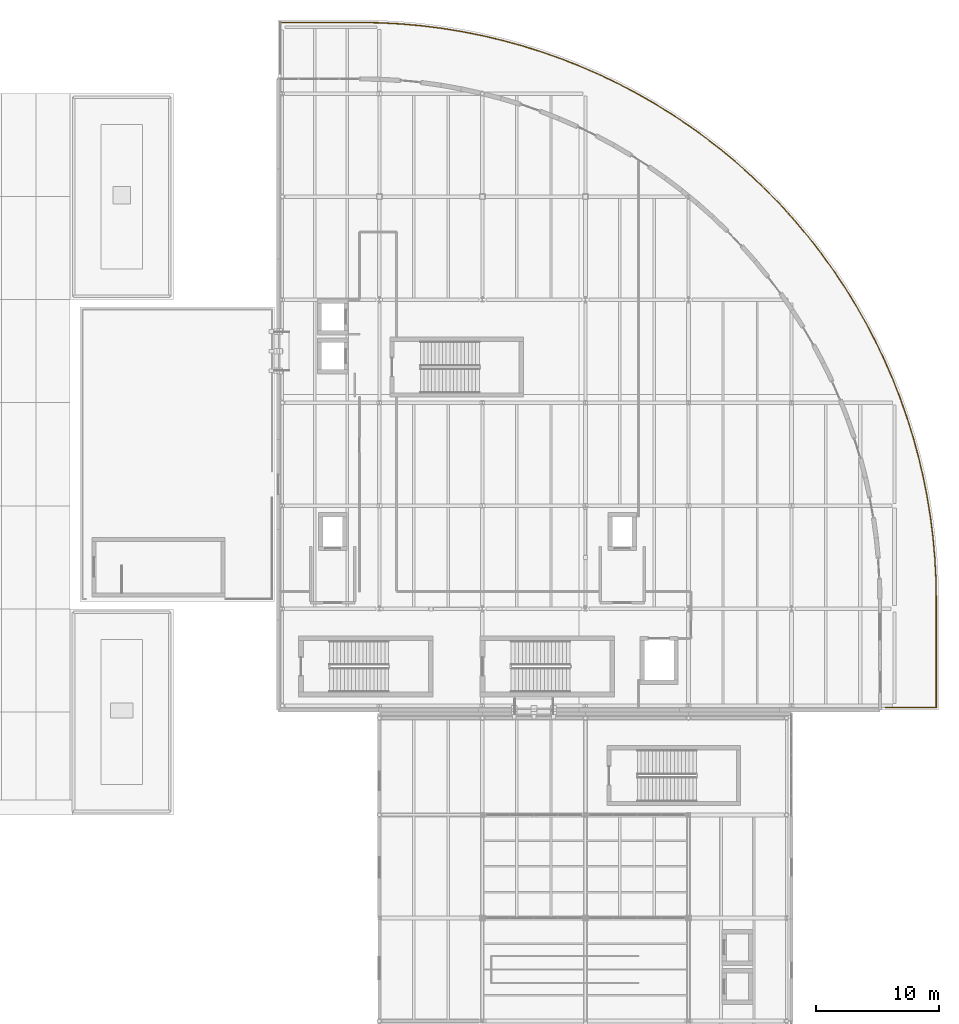
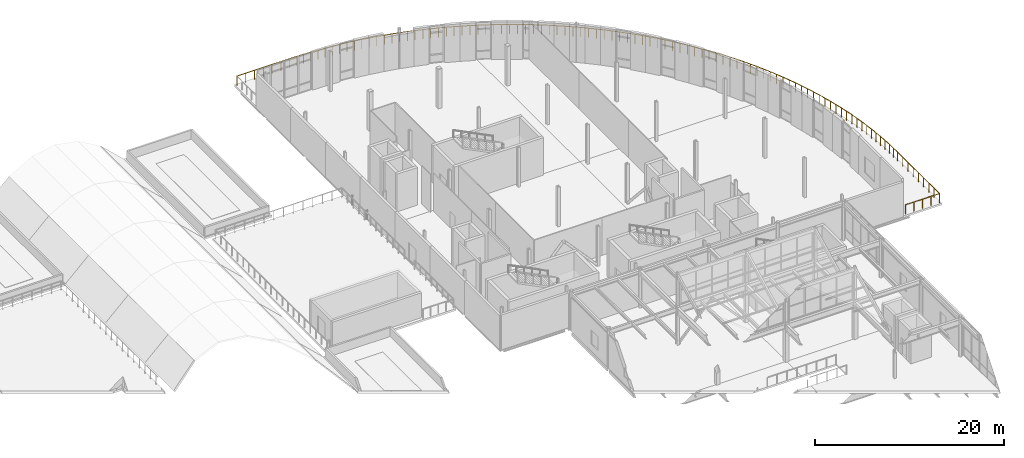
# One storey, part 86 of 91: 1 railing.
"""IFC4 building model written with IfcOpenShell, lengths in metres."""

import ifcopenshell
import ifcopenshell.guid

model = None  # the IFC model being written
_history = None  # IfcOwnerHistory: only IFC2X3 demands one
_inside = {}  # id of a spatial element -> (the spatial element, [elements in it])
_under = {}  # id of a project, library or spatial element -> (it, [spatial elements below it])
_declared = {}  # id of a project -> (the project, [libraries it declares])
_typed = {}  # id of a type object -> (the type object, [elements of that type])
_made_of = {}  # id of a material, layer set ... -> (it, [elements and type objects made of it])


def new_model(schema):
    """Start an empty IFC model of exactly this schema.

    Asked for "IFC4X3", IfcOpenShell would pick the latest addendum, in which some entities
    have other attributes; the version numbers below select the first issue.
    IFC2X3 requires an IfcOwnerHistory on every rooted entity: one is made here for all.
    """
    global model, _history
    if schema == "IFC4X3":
        model = ifcopenshell.file(schema_version=(4, 3, 0, 0))
    else:
        model = ifcopenshell.file(schema=schema)
    _inside.clear()
    _under.clear()
    _declared.clear()
    _typed.clear()
    _made_of.clear()
    _history = None
    if model.schema == "IFC2X3":
        org = make("IfcOrganization", Name="unknown")
        user = make(
            "IfcPersonAndOrganization",
            ThePerson=make("IfcPerson", FamilyName="unknown"),
            TheOrganization=org,
        )
        app = make(
            "IfcApplication",
            ApplicationDeveloper=org,
            Version="unknown",
            ApplicationFullName="unknown",
            ApplicationIdentifier="unknown",
        )
        _history = make(
            "IfcOwnerHistory",
            OwningUser=user,
            OwningApplication=app,
            ChangeAction="ADDED",
            CreationDate=0,
        )
    return model


def make(cls, **values):
    """One entity of the class cls with the attributes given. An attribute that is None is left unset."""
    return model.create_entity(
        cls, **{name: value for name, value in values.items() if value is not None}
    )


def rooted(cls, **values):
    """An entity with a GlobalId (a new one), such as an element, a storey or a relation."""
    return make(cls, GlobalId=ifcopenshell.guid.new(), OwnerHistory=_history, **values)


def si_unit(unit_type, name, prefix=None):
    """IfcSIUnit, for example si_unit("LENGTHUNIT", "METRE", prefix="MILLI")."""
    return make("IfcSIUnit", UnitType=unit_type, Prefix=prefix, Name=name)


def assignment(units):
    """IfcUnitAssignment: the units of a project."""
    return None if units is None else make("IfcUnitAssignment", Units=units)


def point(xyz):
    """IfcCartesianPoint."""
    return None if xyz is None else make("IfcCartesianPoint", Coordinates=xyz)


def direction(xyz):
    """IfcDirection."""
    return None if xyz is None else make("IfcDirection", DirectionRatios=xyz)


def frame(location, z_axis=None, x_axis=None):
    """IfcAxis2Placement3D, a coordinate frame: its origin and axes. An axis left out is left unset."""
    return make(
        "IfcAxis2Placement3D",
        Location=point(location),
        Axis=direction(z_axis),
        RefDirection=direction(x_axis),
    )


def frame_2d(location, x_axis=None):
    """IfcAxis2Placement2D, a coordinate frame in the plane: its origin and x axis."""
    return make(
        "IfcAxis2Placement2D", Location=point(location), RefDirection=direction(x_axis)
    )


def origin():
    """The frame at (0, 0, 0) with its axes left unset."""
    return frame((0.0, 0.0, 0.0))


def origin_2d():
    """The frame at (0, 0) in the plane with its x axis left unset."""
    return frame_2d((0.0, 0.0))


def place(relative_to, where):
    """IfcLocalPlacement: puts the frame where relative to a parent placement (None: the world)."""
    return make(
        "IfcLocalPlacement", PlacementRelTo=relative_to, RelativePlacement=where
    )


def context(
    kind, dimensions, precision=None, world=None, true_north=None, identifier=None
):
    """IfcGeometricRepresentationContext, for example the 3D "Model" context."""
    return make(
        "IfcGeometricRepresentationContext",
        ContextIdentifier=identifier,
        ContextType=kind,
        CoordinateSpaceDimension=dimensions,
        Precision=precision,
        WorldCoordinateSystem=world,
        TrueNorth=true_north,
    )


def subcontext(parent, identifier, kind, view, scale=None):
    """IfcGeometricRepresentationSubContext, for example "Body" below "Model"."""
    return make(
        "IfcGeometricRepresentationSubContext",
        ContextIdentifier=identifier,
        ContextType=kind,
        ParentContext=parent,
        TargetScale=scale,
        TargetView=view,
    )


def project(units=None, contexts=None):
    """IfcProject with its units and contexts."""
    return rooted(
        "IfcProject",
        Name="project",
        RepresentationContexts=contexts,
        UnitsInContext=assignment(units),
    )


def spatial(cls, under=None, at=None, **own):
    """A site, building, storey or space (cls), placed at a placement, below another one or the project."""
    s = rooted(cls, ObjectPlacement=at, **own)
    if under is not None:
        _under.setdefault(under.id(), (under, []))[1].append(s)
    return s


def profile(cls, at=None, kind="AREA", **sizes):
    """A parametric profile (cls). Its sizes go by their IFC names, for example OverallWidth=200.0."""
    return make(cls, ProfileType=kind, Position=at, **sizes)


def circle(**sizes):
    """IfcCircleProfileDef."""
    return profile("IfcCircleProfileDef", **sizes)


def extrude(swept, where, along, depth):
    """IfcExtrudedAreaSolid: the profile swept, set in the frame where, extruded along a direction by depth."""
    return make(
        "IfcExtrudedAreaSolid",
        SweptArea=swept,
        Position=where,
        ExtrudedDirection=direction(along),
        Depth=depth,
    )


def shape(context_of_items, identifier, shape_type, items):
    """IfcShapeRepresentation: the items that make up one representation, for example the "Body"."""
    return make(
        "IfcShapeRepresentation",
        ContextOfItems=context_of_items,
        RepresentationIdentifier=identifier,
        RepresentationType=shape_type,
        Items=items,
    )


def material(Name=None, Category=None):
    """IfcMaterial."""
    return make("IfcMaterial", Name=Name, Category=Category)


def made_of(thing, what):
    """Note that an element or type object is made of a material, layer set ...; save() writes the relation."""
    if what is not None:
        _made_of.setdefault(what.id(), (what, []))[1].append(thing)
    return thing


def type_object(cls, material=None, **own):
    """A type object (cls), such as IfcWallType, which elements share."""
    return made_of(rooted(cls, **own), material)


def element(
    cls,
    number,
    at=None,
    inside=None,
    cuts=None,
    type_object=None,
    material=None,
    context=None,
    identifier="Body",
    shape_type=None,
    held_by="IfcProductDefinitionShape",
    body=None,
    shapes=None,
    **own,
):
    """One element of the class cls, such as IfcWall. Its Tag is "e" and its number.

    at: its placement. inside: the storey or other place that contains it. cuts: it is an
    opening in that element (IfcRelVoidsElement). A single representation is given by context,
    identifier, shape_type and body (its items); several are given by shapes. held_by: the class
    of the entity that holds the representations. save() writes the other relations.
    """
    e = rooted(cls, Tag="e%d" % number, ObjectPlacement=at, **own)
    if body is not None:
        shapes = [shape(context, identifier, shape_type, body)]
    if shapes is not None:
        e.Representation = make(held_by, Representations=shapes)
    if inside is not None:
        _inside.setdefault(inside.id(), (inside, []))[1].append(e)
    if cuts is not None:
        rooted(
            "IfcRelVoidsElement", RelatingBuildingElement=cuts, RelatedOpeningElement=e
        )
    if type_object is not None:
        _typed.setdefault(type_object.id(), (type_object, []))[1].append(e)
    return made_of(e, material)


def aggregate(whole, parts):
    """IfcRelAggregates: a whole, such as a stair, and the parts it consists of."""
    return rooted("IfcRelAggregates", RelatingObject=whole, RelatedObjects=parts)


def save(model, path):
    """Write the relations noted so far, then the file.

    IfcRelAggregates (storeys below a building ...), IfcRelContainedInSpatialStructure (elements
    in a storey), IfcRelDefinesByType, IfcRelAssociatesMaterial and IfcRelDeclares: one each for
    every whole, place, type object, material and project.
    """
    for whole, parts in _under.values():
        aggregate(whole, parts)
    for where, things in _inside.values():
        rooted(
            "IfcRelContainedInSpatialStructure",
            RelatedElements=things,
            RelatingStructure=where,
        )
    for kind, things in _typed.values():
        rooted("IfcRelDefinesByType", RelatedObjects=things, RelatingType=kind)
    for what, things in _made_of.values():
        rooted("IfcRelAssociatesMaterial", RelatedObjects=things, RelatingMaterial=what)
    for by, libraries in _declared.values():
        rooted("IfcRelDeclares", RelatingContext=by, RelatedDefinitions=libraries)
    model.write(path)


model = new_model("IFC4")

# Units and contexts
model_context = context("Model", 3, precision=1e-05, world=origin(), true_north=direction((0.0, 1.0)))
body_context = subcontext(model_context, "Body", "Model", "MODEL_VIEW")
ifc_project = project(units=[si_unit("LENGTHUNIT", "METRE"), si_unit("AREAUNIT", "SQUARE_METRE"), si_unit("VOLUMEUNIT", "CUBIC_METRE"), si_unit("PLANEANGLEUNIT", "RADIAN"), si_unit("MASSUNIT", "GRAM", prefix="KILO"), si_unit("THERMODYNAMICTEMPERATUREUNIT", "KELVIN")], contexts=[model_context])

# Site, building, storey
site_placement = place(None, origin())
site = spatial("IfcSite", under=ifc_project, at=site_placement, CompositionType="ELEMENT")
building_placement = place(site_placement, origin())
building = spatial("IfcBuilding", under=site, at=building_placement, Name="Lustrewick Department Store", CompositionType="ELEMENT")
storey_placement = place(building_placement, frame((0.0, 0.0, 21.60009765625)))
storey = spatial("IfcBuildingStorey", under=building, at=storey_placement, Name="L05", CompositionType="ELEMENT", Elevation=21.60009765625)

# Railing
ifc_material = material(Name="Laminated glass and anodized aluminium guardrail", Category="aluminium")
railing_type = type_object("IfcRailingType", Name="RL-EXT", PredefinedType="GUARDRAIL", material=ifc_material)
railing_placement = place(storey_placement, frame((109.550048828125, 106.60009765625, 0.0)))
element("IfcRailing", 1, at=railing_placement, inside=storey, type_object=railing_type, Name="L05 Terrace Perimeter Guardrail 0014", PredefinedType="GUARDRAIL", context=body_context, shape_type="SweptSolid", body=[
    extrude(circle(Radius=0.02392578125, at=origin_2d()), frame((0.0, 0.0, 1.17578125), z_axis=(1.0, 0.0, 0.0), x_axis=(0.0, 1.0, 0.0)), (0.0, 0.0, 1.0), 6.4482421875),
    extrude(circle(Radius=0.02392578125, at=origin_2d()), frame((6.4482421875, 0.0, 1.17578125), z_axis=(0.999840135611, -0.017880246682, 0.0), x_axis=(0.017880246682, 0.999840135611, 0.0)), (0.0, 0.0, 1.0), 1.679443359375),
    extrude(circle(Radius=0.02392578125, at=origin_2d()), frame((8.12744140625, -0.030029296875, 1.17578125), z_axis=(0.998565076784, -0.053551726648, 0.0), x_axis=(0.053551726648, 0.998565076784, 0.0)), (0.0, 0.0, 1.0), 1.677734375),
    extrude(circle(Radius=0.02392578125, at=origin_2d()), frame((9.802734375, -0.119873046875, 1.17578125), z_axis=(0.996026880095, -0.089053097242, 0.0), x_axis=(0.089053097242, 0.996026880095, 0.0)), (0.0, 0.0, 1.0), 1.677734375),
    extrude(circle(Radius=0.02392578125, at=origin_2d()), frame((11.473876953125, -0.269287109375, 1.17578125), z_axis=(0.992194829874, -0.124697311806, 0.0), x_axis=(0.124697311806, 0.992194829874, 0.0)), (0.0, 0.0, 1.0), 1.677978515625),
    extrude(circle(Radius=0.02392578125, at=origin_2d()), frame((13.138671875, -0.478515625, 1.17578125), z_axis=(0.987107963128, -0.160055831286, 0.0), x_axis=(0.160055831286, 0.987107963128, 0.0)), (0.0, 0.0, 1.0), 1.677978515625),
    extrude(circle(Radius=0.02392578125, at=origin_2d()), frame((14.794921875, -0.7470703125, 1.17578125), z_axis=(0.980803913494, -0.194996623751, 0.0), x_axis=(0.194996623751, 0.980803913494, 0.0)), (0.0, 0.0, 1.0), 1.677734375),
    extrude(circle(Radius=0.02392578125, at=origin_2d()), frame((16.4404296875, -1.07421875, 1.17578125), z_axis=(0.973178097645, -0.230053016205, 0.0), x_axis=(0.230053016205, 0.973178097645, 0.0)), (0.0, 0.0, 1.0), 1.677734375),
    extrude(circle(Radius=0.02392578125, at=origin_2d()), frame((18.0732421875, -1.460205078125, 1.17578125), z_axis=(0.964417129998, -0.264385323658, 0.0), x_axis=(0.264385323658, 0.964417129998, 0.0)), (0.0, 0.0, 1.0), 1.677978515625),
    extrude(circle(Radius=0.02392578125, at=origin_2d()), frame((19.69140625, -1.90380859375, 1.17578125), z_axis=(0.954288177563, -0.298888062933, 0.0), x_axis=(0.298888062933, 0.954288177563, 0.0)), (0.0, 0.0, 1.0), 1.677734375),
    extrude(circle(Radius=0.02392578125, at=origin_2d()), frame((21.29248046875, -2.4052734375, 1.17578125), z_axis=(0.943054788319, -0.332637439608, 0.0), x_axis=(0.332637439608, 0.943054788319, 0.0)), (0.0, 0.0, 1.0), 1.677734375),
    extrude(circle(Radius=0.02392578125, at=origin_2d()), frame((22.874755859375, -2.96337890625, 1.17578125), z_axis=(0.930519620283, -0.366242046013, 0.0), x_axis=(0.366242046013, 0.930519620283, 0.0)), (0.0, 0.0, 1.0), 1.677978515625),
    extrude(circle(Radius=0.02392578125, at=origin_2d()), frame((24.43603515625, -3.577880859375, 1.17578125), z_axis=(0.916887199191, -0.3991464192, 0.0), x_axis=(0.3991464192, 0.916887199191, 0.0)), (0.0, 0.0, 1.0), 1.677734375),
    extrude(circle(Radius=0.02392578125, at=origin_2d()), frame((25.974365234375, -4.24755859375, 1.17578125), z_axis=(0.902089895834, -0.431548166297, 0.0), x_axis=(0.431548166297, 0.902089895834, 0.0)), (0.0, 0.0, 1.0), 1.677978515625),
    extrude(circle(Radius=0.02392578125, at=origin_2d()), frame((27.488037109375, -4.9716796875, 1.17578125), z_axis=(0.886099132308, -0.463495768829, 0.0), x_axis=(0.463495768829, 0.886099132308, 0.0)), (0.0, 0.0, 1.0), 1.677734375),
    extrude(circle(Radius=0.02392578125, at=origin_2d()), frame((28.974609375, -5.749267578125, 1.17578125), z_axis=(0.869030079765, -0.494759255057, 0.0), x_axis=(0.494759255057, 0.869030079765, 0.0)), (0.0, 0.0, 1.0), 1.677734375),
    extrude(circle(Radius=0.02392578125, at=origin_2d()), frame((30.4326171875, -6.579345703125, 1.17578125), z_axis=(0.850757815187, -0.525557932009, 0.0), x_axis=(0.525557932009, 0.850757815187, 0.0)), (0.0, 0.0, 1.0), 1.677978515625),
    extrude(circle(Radius=0.02392578125, at=origin_2d()), frame((31.860107421875, -7.461181640625, 1.17578125), z_axis=(0.831467779718, -0.555572975667, 0.0), x_axis=(0.555572975667, 0.831467779718, 0.0)), (0.0, 0.0, 1.0), 1.677734375),
    extrude(circle(Radius=0.02392578125, at=origin_2d()), frame((33.255126953125, -8.393310546875, 1.17578125), z_axis=(0.811070417888, -0.58494852528, 0.0), x_axis=(0.58494852528, 0.811070417888, 0.0)), (0.0, 0.0, 1.0), 1.677734375),
    extrude(circle(Radius=0.02392578125, at=origin_2d()), frame((34.615966796875, -9.374755859375, 1.17578125), z_axis=(0.789704678905, -0.613487180074, 0.0), x_axis=(0.613487180074, 0.789704678905, 0.0)), (0.0, 0.0, 1.0), 1.677734375),
    extrude(circle(Radius=0.02392578125, at=origin_2d()), frame((35.94091796875, -10.404052734375, 1.17578125), z_axis=(0.767302072941, -0.641285840215, 0.0), x_axis=(0.641285840215, 0.767302072941, 0.0)), (0.0, 0.0, 1.0), 1.677734375),
    extrude(circle(Radius=0.02392578125, at=origin_2d()), frame((37.228271484375, -11.47998046875, 1.17578125), z_axis=(0.743995564432, -0.668184555422, 0.0), x_axis=(0.668184555422, 0.743995564432, 0.0)), (0.0, 0.0, 1.0), 1.677734375),
    extrude(circle(Radius=0.02392578125, at=origin_2d()), frame((38.4765625, -12.60107421875, 1.17578125), z_axis=(0.719581967049, -0.694407511983, 0.0), x_axis=(0.694407511983, 0.719581967049, 0.0)), (0.0, 0.0, 1.0), 1.677734375),
    extrude(circle(Radius=0.02392578125, at=origin_2d()), frame((39.683837890625, -13.76611328125, 1.17578125), z_axis=(0.694407511983, -0.719581967049, 0.0), x_axis=(0.719581967049, 0.694407511983, 0.0)), (0.0, 0.0, 1.0), 1.677734375),
    extrude(circle(Radius=0.02392578125, at=origin_2d()), frame((40.848876953125, -14.973388671875, 1.17578125), z_axis=(0.668265088057, -0.743923229967, 0.0), x_axis=(0.743923229967, 0.668265088057, 0.0)), (0.0, 0.0, 1.0), 1.677978515625),
    extrude(circle(Radius=0.02392578125, at=origin_2d()), frame((41.97021484375, -16.2216796875, 1.17578125), z_axis=(0.641285840215, -0.767302072941, 0.0), x_axis=(0.767302072941, 0.641285840215, 0.0)), (0.0, 0.0, 1.0), 1.677734375),
    extrude(circle(Radius=0.02392578125, at=origin_2d()), frame((43.046142578125, -17.509033203125, 1.17578125), z_axis=(0.613487180074, -0.789704678905, 0.0), x_axis=(0.789704678905, 0.613487180074, 0.0)), (0.0, 0.0, 1.0), 1.677734375),
    extrude(circle(Radius=0.02392578125, at=origin_2d()), frame((44.075439453125, -18.833984375, 1.17578125), z_axis=(0.584783762549, -0.811189220256, 0.0), x_axis=(0.811189220256, 0.584783762549, 0.0)), (0.0, 0.0, 1.0), 1.677978515625),
    extrude(circle(Radius=0.02392578125, at=origin_2d()), frame((45.056640625, -20.195068359375, 1.17578125), z_axis=(0.555572975667, -0.831467779718, 0.0), x_axis=(0.831467779718, 0.555572975667, 0.0)), (0.0, 0.0, 1.0), 1.677734375),
    extrude(circle(Radius=0.02392578125, at=origin_2d()), frame((45.98876953125, -21.590087890625, 1.17578125), z_axis=(0.525557932009, -0.850757815187, 0.0), x_axis=(0.850757815187, 0.525557932009, 0.0)), (0.0, 0.0, 1.0), 1.677978515625),
    extrude(circle(Radius=0.02392578125, at=origin_2d()), frame((46.87060546875, -23.017578125, 1.17578125), z_axis=(0.494821828459, -0.868994452273, 0.0), x_axis=(0.868994452273, 0.494821828459, 0.0)), (0.0, 0.0, 1.0), 1.677490234375),
    extrude(circle(Radius=0.02392578125, at=origin_2d()), frame((47.70068359375, -24.475341796875, 1.17578125), z_axis=(0.463550251618, -0.886070631623, 0.0), x_axis=(0.886070631623, 0.463550251618, 0.0)), (0.0, 0.0, 1.0), 1.677978515625),
    extrude(circle(Radius=0.02392578125, at=origin_2d()), frame((48.478515625, -25.962158203125, 1.17578125), z_axis=(0.431604814705, -0.902062793781, 0.0), x_axis=(0.902062793781, 0.431604814705, 0.0)), (0.0, 0.0, 1.0), 1.677734375),
    extrude(circle(Radius=0.02392578125, at=origin_2d()), frame((49.20263671875, -27.4755859375, 1.17578125), z_axis=(0.3991464192, -0.916887199191, 0.0), x_axis=(0.916887199191, 0.3991464192, 0.0)), (0.0, 0.0, 1.0), 1.677734375),
    extrude(circle(Radius=0.02392578125, at=origin_2d()), frame((49.872314453125, -29.013916015625, 1.17578125), z_axis=(0.366116045948, -0.930569202639, 0.0), x_axis=(0.930569202639, 0.366116045948, 0.0)), (0.0, 0.0, 1.0), 1.677734375),
    extrude(circle(Radius=0.02392578125, at=origin_2d()), frame((50.486572265625, -30.5751953125, 1.17578125), z_axis=(0.332591799457, -0.943070885424, 0.0), x_axis=(0.943070885424, 0.332591799457, 0.0)), (0.0, 0.0, 1.0), 1.677978515625),
    extrude(circle(Radius=0.02392578125, at=origin_2d()), frame((51.044677734375, -32.15771484375, 1.17578125), z_axis=(0.298888062933, -0.954288177563, 0.0), x_axis=(0.954288177563, 0.298888062933, 0.0)), (0.0, 0.0, 1.0), 1.677734375),
    extrude(circle(Radius=0.02392578125, at=origin_2d()), frame((51.546142578125, -33.7587890625, 1.17578125), z_axis=(0.264557773575, -0.964369837998, 0.0), x_axis=(0.964369837998, 0.264557773575, 0.0)), (0.0, 0.0, 1.0), 1.677734375),
    extrude(circle(Radius=0.02392578125, at=origin_2d()), frame((51.989990234375, -35.376708984375, 1.17578125), z_axis=(0.229915199292, -0.973210666369, 0.0), x_axis=(0.973210666369, 0.229915199292, 0.0)), (0.0, 0.0, 1.0), 1.677734375),
    extrude(circle(Radius=0.02392578125, at=origin_2d()), frame((52.375732421875, -37.009521484375, 1.17578125), z_axis=(0.195136604459, -0.980776073118, 0.0), x_axis=(0.980776073118, 0.195136604459, 0.0)), (0.0, 0.0, 1.0), 1.677734375),
    extrude(circle(Radius=0.02392578125, at=origin_2d()), frame((52.703125, -38.655029296875, 1.17578125), z_axis=(0.159914048569, -0.987130942211, 0.0), x_axis=(0.987130942211, 0.159914048569, 0.0)), (0.0, 0.0, 1.0), 1.677734375),
    extrude(circle(Radius=0.02392578125, at=origin_2d()), frame((52.971435546875, -40.311279296875, 1.17578125), z_axis=(0.124697311806, -0.992194829874, 0.0), x_axis=(0.992194829874, 0.124697311806, 0.0)), (0.0, 0.0, 1.0), 1.677978515625),
    extrude(circle(Radius=0.02392578125, at=origin_2d()), frame((53.1806640625, -41.97607421875, 1.17578125), z_axis=(0.089053097242, -0.996026880095, 0.0), x_axis=(0.996026880095, 0.089053097242, 0.0)), (0.0, 0.0, 1.0), 1.677734375),
    extrude(circle(Radius=0.02392578125, at=origin_2d()), frame((53.330078125, -43.647216796875, 1.17578125), z_axis=(0.053551726648, -0.998565076784, 0.0), x_axis=(0.998565076784, 0.053551726648, 0.0)), (0.0, 0.0, 1.0), 1.677734375),
    extrude(circle(Radius=0.02392578125, at=origin_2d()), frame((53.419921875, -45.322509765625, 1.17578125), z_axis=(0.017877648262, -0.999840182075, 0.0), x_axis=(0.999840182075, 0.017877648262, 0.0)), (0.0, 0.0, 1.0), 1.6796875),
    extrude(circle(Radius=0.02392578125, at=origin_2d()), frame((53.449951171875, -47.001953125, 1.17578125), z_axis=(0.0, -1.0, 0.0), x_axis=(1.0, 0.0, 0.0)), (0.0, 0.0, 1.0), 8.84814453125),
    extrude(circle(Radius=0.02392578125, at=origin_2d()), frame((53.449951171875, -55.85009765625, 1.17578125), z_axis=(-1.0, 0.0, 0.0), x_axis=(0.0, -1.0, 0.0)), (0.0, 0.0, 1.0), 4.14990234375),
    extrude(circle(Radius=0.02099609375, at=origin_2d()), origin(), (0.0, 0.0, 1.0), 1.15185546875),
    extrude(circle(Radius=0.02099609375, at=origin_2d()), frame((1.07470703125, 0.0, 0.0)), (0.0, 0.0, 1.0), 1.15185546875),
    extrude(circle(Radius=0.02099609375, at=origin_2d()), frame((2.1494140625, 0.0, 0.0)), (0.0, 0.0, 1.0), 1.15185546875),
    extrude(circle(Radius=0.02099609375, at=origin_2d()), frame((3.22412109375, 0.0, 0.0)), (0.0, 0.0, 1.0), 1.15185546875),
    extrude(circle(Radius=0.02099609375, at=origin_2d()), frame((4.298828125, 0.0, 0.0)), (0.0, 0.0, 1.0), 1.15185546875),
    extrude(circle(Radius=0.02099609375, at=origin_2d()), frame((5.37353515625, 0.0, 0.0)), (0.0, 0.0, 1.0), 1.15185546875),
    extrude(circle(Radius=0.02099609375, at=origin_2d()), frame((6.4482421875, 0.0, 0.0)), (0.0, 0.0, 1.0), 1.15185546875),
    extrude(circle(Radius=0.02099609375, at=origin_2d()), frame((7.287841796875, -0.01513671875, 0.0)), (0.0, 0.0, 1.0), 1.15185546875),
    extrude(circle(Radius=0.02099609375, at=origin_2d()), frame((8.12744140625, -0.030029296875, 0.0)), (0.0, 0.0, 1.0), 1.15185546875),
    extrude(circle(Radius=0.02099609375, at=origin_2d()), frame((8.965087890625, -0.074951171875, 0.0)), (0.0, 0.0, 1.0), 1.15185546875),
    extrude(circle(Radius=0.02099609375, at=origin_2d()), frame((9.802734375, -0.119873046875, 0.0)), (0.0, 0.0, 1.0), 1.15185546875),
    extrude(circle(Radius=0.02099609375, at=origin_2d()), frame((10.63818359375, -0.194580078125, 0.0)), (0.0, 0.0, 1.0), 1.15185546875),
    extrude(circle(Radius=0.02099609375, at=origin_2d()), frame((11.473876953125, -0.269287109375, 0.0)), (0.0, 0.0, 1.0), 1.15185546875),
    extrude(circle(Radius=0.02099609375, at=origin_2d()), frame((12.30615234375, -0.3740234375, 0.0)), (0.0, 0.0, 1.0), 1.15185546875),
    extrude(circle(Radius=0.02099609375, at=origin_2d()), frame((13.138671875, -0.478515625, 0.0)), (0.0, 0.0, 1.0), 1.15185546875),
    extrude(circle(Radius=0.02099609375, at=origin_2d()), frame((13.966796875, -0.61279296875, 0.0)), (0.0, 0.0, 1.0), 1.15185546875),
    extrude(circle(Radius=0.02099609375, at=origin_2d()), frame((14.794921875, -0.7470703125, 0.0)), (0.0, 0.0, 1.0), 1.15185546875),
    extrude(circle(Radius=0.02099609375, at=origin_2d()), frame((15.61767578125, -0.91064453125, 0.0)), (0.0, 0.0, 1.0), 1.15185546875),
    extrude(circle(Radius=0.02099609375, at=origin_2d()), frame((16.4404296875, -1.07421875, 0.0)), (0.0, 0.0, 1.0), 1.15185546875),
    extrude(circle(Radius=0.02099609375, at=origin_2d()), frame((17.2568359375, -1.26708984375, 0.0)), (0.0, 0.0, 1.0), 1.15185546875),
    extrude(circle(Radius=0.02099609375, at=origin_2d()), frame((18.0732421875, -1.460205078125, 0.0)), (0.0, 0.0, 1.0), 1.15185546875),
    extrude(circle(Radius=0.02099609375, at=origin_2d()), frame((18.88232421875, -1.68212890625, 0.0)), (0.0, 0.0, 1.0), 1.15185546875),
    extrude(circle(Radius=0.02099609375, at=origin_2d()), frame((19.69140625, -1.90380859375, 0.0)), (0.0, 0.0, 1.0), 1.15185546875),
    extrude(circle(Radius=0.02099609375, at=origin_2d()), frame((20.491943359375, -2.154541015625, 0.0)), (0.0, 0.0, 1.0), 1.15185546875),
    extrude(circle(Radius=0.02099609375, at=origin_2d()), frame((21.29248046875, -2.4052734375, 0.0)), (0.0, 0.0, 1.0), 1.15185546875),
    extrude(circle(Radius=0.02099609375, at=origin_2d()), frame((22.08349609375, -2.684326171875, 0.0)), (0.0, 0.0, 1.0), 1.15185546875),
    extrude(circle(Radius=0.02099609375, at=origin_2d()), frame((22.874755859375, -2.96337890625, 0.0)), (0.0, 0.0, 1.0), 1.15185546875),
    extrude(circle(Radius=0.02099609375, at=origin_2d()), frame((23.6552734375, -3.2705078125, 0.0)), (0.0, 0.0, 1.0), 1.15185546875),
    extrude(circle(Radius=0.02099609375, at=origin_2d()), frame((24.43603515625, -3.577880859375, 0.0)), (0.0, 0.0, 1.0), 1.15185546875),
    extrude(circle(Radius=0.02099609375, at=origin_2d()), frame((25.205078125, -3.91259765625, 0.0)), (0.0, 0.0, 1.0), 1.15185546875),
    extrude(circle(Radius=0.02099609375, at=origin_2d()), frame((25.974365234375, -4.24755859375, 0.0)), (0.0, 0.0, 1.0), 1.15185546875),
    extrude(circle(Radius=0.02099609375, at=origin_2d()), frame((26.731201171875, -4.609619140625, 0.0)), (0.0, 0.0, 1.0), 1.15185546875),
    extrude(circle(Radius=0.02099609375, at=origin_2d()), frame((27.488037109375, -4.9716796875, 0.0)), (0.0, 0.0, 1.0), 1.15185546875),
    extrude(circle(Radius=0.02099609375, at=origin_2d()), frame((28.2314453125, -5.3603515625, 0.0)), (0.0, 0.0, 1.0), 1.15185546875),
    extrude(circle(Radius=0.02099609375, at=origin_2d()), frame((28.974609375, -5.749267578125, 0.0)), (0.0, 0.0, 1.0), 1.15185546875),
    extrude(circle(Radius=0.02099609375, at=origin_2d()), frame((29.70361328125, -6.164306640625, 0.0)), (0.0, 0.0, 1.0), 1.15185546875),
    extrude(circle(Radius=0.02099609375, at=origin_2d()), frame((30.4326171875, -6.579345703125, 0.0)), (0.0, 0.0, 1.0), 1.15185546875),
    extrude(circle(Radius=0.02099609375, at=origin_2d()), frame((31.146484375, -7.020263671875, 0.0)), (0.0, 0.0, 1.0), 1.15185546875),
    extrude(circle(Radius=0.02099609375, at=origin_2d()), frame((31.860107421875, -7.461181640625, 0.0)), (0.0, 0.0, 1.0), 1.15185546875),
    extrude(circle(Radius=0.02099609375, at=origin_2d()), frame((32.5576171875, -7.92724609375, 0.0)), (0.0, 0.0, 1.0), 1.15185546875),
    extrude(circle(Radius=0.02099609375, at=origin_2d()), frame((33.255126953125, -8.393310546875, 0.0)), (0.0, 0.0, 1.0), 1.15185546875),
    extrude(circle(Radius=0.02099609375, at=origin_2d()), frame((33.935546875, -8.884033203125, 0.0)), (0.0, 0.0, 1.0), 1.15185546875),
    extrude(circle(Radius=0.02099609375, at=origin_2d()), frame((34.615966796875, -9.374755859375, 0.0)), (0.0, 0.0, 1.0), 1.15185546875),
    extrude(circle(Radius=0.02099609375, at=origin_2d()), frame((35.2783203125, -9.889404296875, 0.0)), (0.0, 0.0, 1.0), 1.15185546875),
    extrude(circle(Radius=0.02099609375, at=origin_2d()), frame((35.94091796875, -10.404052734375, 0.0)), (0.0, 0.0, 1.0), 1.15185546875),
    extrude(circle(Radius=0.02099609375, at=origin_2d()), frame((36.58447265625, -10.94189453125, 0.0)), (0.0, 0.0, 1.0), 1.15185546875),
    extrude(circle(Radius=0.02099609375, at=origin_2d()), frame((37.228271484375, -11.47998046875, 0.0)), (0.0, 0.0, 1.0), 1.15185546875),
    extrude(circle(Radius=0.02099609375, at=origin_2d()), frame((37.8525390625, -12.04052734375, 0.0)), (0.0, 0.0, 1.0), 1.15185546875),
    extrude(circle(Radius=0.02099609375, at=origin_2d()), frame((38.4765625, -12.60107421875, 0.0)), (0.0, 0.0, 1.0), 1.15185546875),
    extrude(circle(Radius=0.02099609375, at=origin_2d()), frame((39.080078125, -13.18359375, 0.0)), (0.0, 0.0, 1.0), 1.15185546875),
    extrude(circle(Radius=0.02099609375, at=origin_2d()), frame((39.683837890625, -13.76611328125, 0.0)), (0.0, 0.0, 1.0), 1.15185546875),
    extrude(circle(Radius=0.02099609375, at=origin_2d()), frame((40.266357421875, -14.36962890625, 0.0)), (0.0, 0.0, 1.0), 1.15185546875),
    extrude(circle(Radius=0.02099609375, at=origin_2d()), frame((40.848876953125, -14.973388671875, 0.0)), (0.0, 0.0, 1.0), 1.15185546875),
    extrude(circle(Radius=0.02099609375, at=origin_2d()), frame((41.40966796875, -15.59765625, 0.0)), (0.0, 0.0, 1.0), 1.15185546875),
    extrude(circle(Radius=0.02099609375, at=origin_2d()), frame((41.97021484375, -16.2216796875, 0.0)), (0.0, 0.0, 1.0), 1.15185546875),
    extrude(circle(Radius=0.02099609375, at=origin_2d()), frame((42.50830078125, -16.865234375, 0.0)), (0.0, 0.0, 1.0), 1.15185546875),
    extrude(circle(Radius=0.02099609375, at=origin_2d()), frame((43.046142578125, -17.509033203125, 0.0)), (0.0, 0.0, 1.0), 1.15185546875),
    extrude(circle(Radius=0.02099609375, at=origin_2d()), frame((43.560791015625, -18.17138671875, 0.0)), (0.0, 0.0, 1.0), 1.15185546875),
    extrude(circle(Radius=0.02099609375, at=origin_2d()), frame((44.075439453125, -18.833984375, 0.0)), (0.0, 0.0, 1.0), 1.15185546875),
    extrude(circle(Radius=0.02099609375, at=origin_2d()), frame((44.56591796875, -19.5146484375, 0.0)), (0.0, 0.0, 1.0), 1.15185546875),
    extrude(circle(Radius=0.02099609375, at=origin_2d()), frame((45.056640625, -20.195068359375, 0.0)), (0.0, 0.0, 1.0), 1.15185546875),
    extrude(circle(Radius=0.02099609375, at=origin_2d()), frame((45.522705078125, -20.892578125, 0.0)), (0.0, 0.0, 1.0), 1.15185546875),
    extrude(circle(Radius=0.02099609375, at=origin_2d()), frame((45.98876953125, -21.590087890625, 0.0)), (0.0, 0.0, 1.0), 1.15185546875),
    extrude(circle(Radius=0.02099609375, at=origin_2d()), frame((46.4296875, -22.3037109375, 0.0)), (0.0, 0.0, 1.0), 1.15185546875),
    extrude(circle(Radius=0.02099609375, at=origin_2d()), frame((46.87060546875, -23.017578125, 0.0)), (0.0, 0.0, 1.0), 1.15185546875),
    extrude(circle(Radius=0.02099609375, at=origin_2d()), frame((47.28564453125, -23.74658203125, 0.0)), (0.0, 0.0, 1.0), 1.15185546875),
    extrude(circle(Radius=0.02099609375, at=origin_2d()), frame((47.70068359375, -24.475341796875, 0.0)), (0.0, 0.0, 1.0), 1.15185546875),
    extrude(circle(Radius=0.02099609375, at=origin_2d()), frame((48.089599609375, -25.21875, 0.0)), (0.0, 0.0, 1.0), 1.15185546875),
    extrude(circle(Radius=0.02099609375, at=origin_2d()), frame((48.478515625, -25.962158203125, 0.0)), (0.0, 0.0, 1.0), 1.15185546875),
    extrude(circle(Radius=0.02099609375, at=origin_2d()), frame((48.840576171875, -26.71875, 0.0)), (0.0, 0.0, 1.0), 1.15185546875),
    extrude(circle(Radius=0.02099609375, at=origin_2d()), frame((49.20263671875, -27.4755859375, 0.0)), (0.0, 0.0, 1.0), 1.15185546875),
    extrude(circle(Radius=0.02099609375, at=origin_2d()), frame((49.53759765625, -28.24462890625, 0.0)), (0.0, 0.0, 1.0), 1.15185546875),
    extrude(circle(Radius=0.02099609375, at=origin_2d()), frame((49.872314453125, -29.013916015625, 0.0)), (0.0, 0.0, 1.0), 1.15185546875),
    extrude(circle(Radius=0.02099609375, at=origin_2d()), frame((50.179443359375, -29.79443359375, 0.0)), (0.0, 0.0, 1.0), 1.15185546875),
    extrude(circle(Radius=0.02099609375, at=origin_2d()), frame((50.486572265625, -30.5751953125, 0.0)), (0.0, 0.0, 1.0), 1.15185546875),
    extrude(circle(Radius=0.02099609375, at=origin_2d()), frame((50.765625, -31.366455078125, 0.0)), (0.0, 0.0, 1.0), 1.15185546875),
    extrude(circle(Radius=0.02099609375, at=origin_2d()), frame((51.044677734375, -32.15771484375, 0.0)), (0.0, 0.0, 1.0), 1.15185546875),
    extrude(circle(Radius=0.02099609375, at=origin_2d()), frame((51.29541015625, -32.958251953125, 0.0)), (0.0, 0.0, 1.0), 1.15185546875),
    extrude(circle(Radius=0.02099609375, at=origin_2d()), frame((51.546142578125, -33.7587890625, 0.0)), (0.0, 0.0, 1.0), 1.15185546875),
    extrude(circle(Radius=0.02099609375, at=origin_2d()), frame((51.76806640625, -34.56787109375, 0.0)), (0.0, 0.0, 1.0), 1.15185546875),
    extrude(circle(Radius=0.02099609375, at=origin_2d()), frame((51.989990234375, -35.376708984375, 0.0)), (0.0, 0.0, 1.0), 1.15185546875),
    extrude(circle(Radius=0.02099609375, at=origin_2d()), frame((52.182861328125, -36.193115234375, 0.0)), (0.0, 0.0, 1.0), 1.15185546875),
    extrude(circle(Radius=0.02099609375, at=origin_2d()), frame((52.375732421875, -37.009521484375, 0.0)), (0.0, 0.0, 1.0), 1.15185546875),
    extrude(circle(Radius=0.02099609375, at=origin_2d()), frame((52.53955078125, -37.832275390625, 0.0)), (0.0, 0.0, 1.0), 1.15185546875),
    extrude(circle(Radius=0.02099609375, at=origin_2d()), frame((52.703125, -38.655029296875, 0.0)), (0.0, 0.0, 1.0), 1.15185546875),
    extrude(circle(Radius=0.02099609375, at=origin_2d()), frame((52.83740234375, -39.483154296875, 0.0)), (0.0, 0.0, 1.0), 1.15185546875),
    extrude(circle(Radius=0.02099609375, at=origin_2d()), frame((52.971435546875, -40.311279296875, 0.0)), (0.0, 0.0, 1.0), 1.15185546875),
    extrude(circle(Radius=0.02099609375, at=origin_2d()), frame((53.076171875, -41.1435546875, 0.0)), (0.0, 0.0, 1.0), 1.15185546875),
    extrude(circle(Radius=0.02099609375, at=origin_2d()), frame((53.1806640625, -41.97607421875, 0.0)), (0.0, 0.0, 1.0), 1.15185546875),
    extrude(circle(Radius=0.02099609375, at=origin_2d()), frame((53.25537109375, -42.8115234375, 0.0)), (0.0, 0.0, 1.0), 1.15185546875),
    extrude(circle(Radius=0.02099609375, at=origin_2d()), frame((53.330078125, -43.647216796875, 0.0)), (0.0, 0.0, 1.0), 1.15185546875),
    extrude(circle(Radius=0.02099609375, at=origin_2d()), frame((53.375, -44.48486328125, 0.0)), (0.0, 0.0, 1.0), 1.15185546875),
    extrude(circle(Radius=0.02099609375, at=origin_2d()), frame((53.419921875, -45.322509765625, 0.0)), (0.0, 0.0, 1.0), 1.15185546875),
    extrude(circle(Radius=0.02099609375, at=origin_2d()), frame((53.43505859375, -46.162109375, 0.0)), (0.0, 0.0, 1.0), 1.15185546875),
    extrude(circle(Radius=0.02099609375, at=origin_2d()), frame((53.449951171875, -47.001953125, 0.0)), (0.0, 0.0, 1.0), 1.15185546875),
    extrude(circle(Radius=0.02099609375, at=origin_2d()), frame((53.449951171875, -48.10791015625, 0.0)), (0.0, 0.0, 1.0), 1.15185546875),
    extrude(circle(Radius=0.02099609375, at=origin_2d()), frame((53.449951171875, -49.2138671875, 0.0)), (0.0, 0.0, 1.0), 1.15185546875),
    extrude(circle(Radius=0.02099609375, at=origin_2d()), frame((53.449951171875, -50.320068359375, 0.0)), (0.0, 0.0, 1.0), 1.15185546875),
    extrude(circle(Radius=0.02099609375, at=origin_2d()), frame((53.449951171875, -51.426025390625, 0.0)), (0.0, 0.0, 1.0), 1.15185546875),
    extrude(circle(Radius=0.02099609375, at=origin_2d()), frame((53.449951171875, -52.531982421875, 0.0)), (0.0, 0.0, 1.0), 1.15185546875),
    extrude(circle(Radius=0.02099609375, at=origin_2d()), frame((53.449951171875, -53.63818359375, 0.0)), (0.0, 0.0, 1.0), 1.15185546875),
    extrude(circle(Radius=0.02099609375, at=origin_2d()), frame((53.449951171875, -54.744140625, 0.0)), (0.0, 0.0, 1.0), 1.15185546875),
    extrude(circle(Radius=0.02099609375, at=origin_2d()), frame((53.449951171875, -55.85009765625, 0.0)), (0.0, 0.0, 1.0), 1.15185546875),
    extrude(circle(Radius=0.02099609375, at=origin_2d()), frame((52.41259765625, -55.85009765625, 0.0)), (0.0, 0.0, 1.0), 1.15185546875),
    extrude(circle(Radius=0.02099609375, at=origin_2d()), frame((51.375, -55.85009765625, 0.0)), (0.0, 0.0, 1.0), 1.15185546875),
    extrude(circle(Radius=0.02099609375, at=origin_2d()), frame((50.33740234375, -55.85009765625, 0.0)), (0.0, 0.0, 1.0), 1.15185546875),
    extrude(circle(Radius=0.02099609375, at=origin_2d()), frame((49.300048828125, -55.85009765625, 0.0)), (0.0, 0.0, 1.0), 1.15185546875),
])

save(model, "model.ifc")
